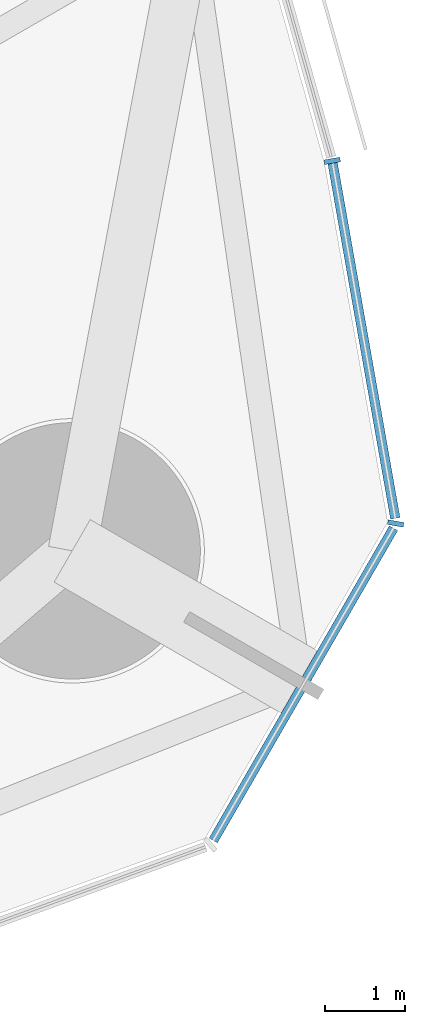
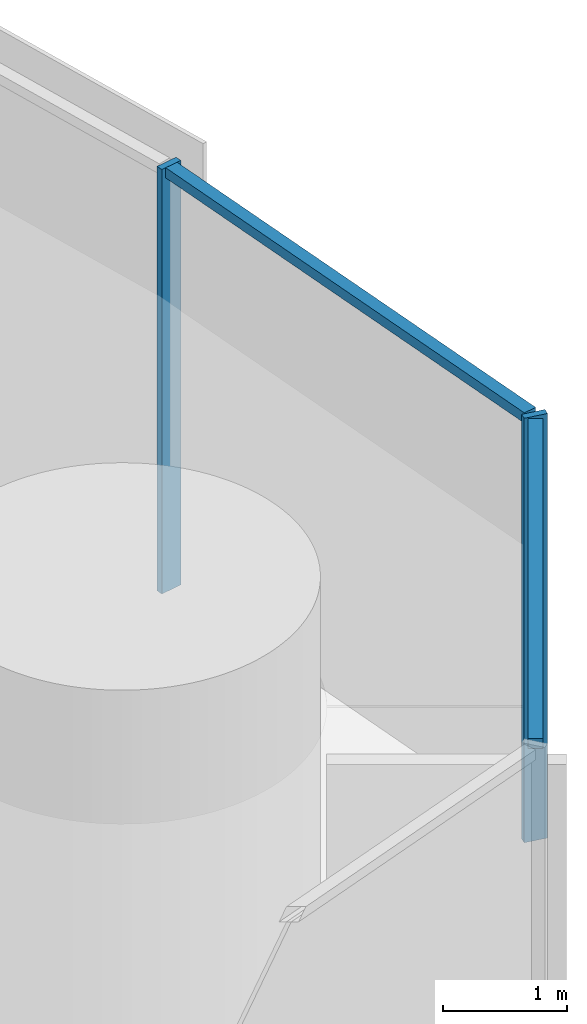
# One storey, part 9 of 19: 4 members, 1 element without a shape of its own.
"""IFC4 building model written with IfcOpenShell, lengths in metres."""

from ifc_helpers import new_model, si_unit, direction, frame, origin, origin_2d, place, context, subcontext, project, spatial, rectangle, extrude, material, material_profile, profile_set, type_object, element, aggregate, save


model = new_model("IFC4")

# Units and contexts
model_context = context("Model", 3, precision=1e-05, world=origin(), true_north=direction((0.0, 1.0)))
body_context = subcontext(model_context, "Body", "Model", "MODEL_VIEW")
ifc_project = project(units=[si_unit("LENGTHUNIT", "METRE"), si_unit("AREAUNIT", "SQUARE_METRE"), si_unit("VOLUMEUNIT", "CUBIC_METRE"), si_unit("PLANEANGLEUNIT", "RADIAN"), si_unit("MASSUNIT", "GRAM", prefix="KILO")], contexts=[model_context])

# Site, building, storey
site_placement = place(None, origin())
site = spatial("IfcSite", under=ifc_project, at=site_placement, CompositionType="ELEMENT")
building_placement = place(site_placement, origin())
building = spatial("IfcBuilding", under=site, at=building_placement, Name="Trefoil Bronze Tower", CompositionType="ELEMENT")
storey_placement = place(building_placement, frame((0.0, 0.0, 240.10009765625)))
storey = spatial("IfcBuildingStorey", under=building, at=storey_placement, Name="L55", CompositionType="ELEMENT", Elevation=240.10009765625)

# Curtain wall, members
ifc_material_1 = material(Name="Tinted solar-control glass", Category="glass")
curtain_wall_type = type_object("IfcCurtainWallType", Name="Bronze rounded corner curtain wall", PredefinedType="USERDEFINED", material=ifc_material_1)
curtain_wall_placement = place(storey_placement, origin())
curtain_wall = element("IfcCurtainWall", 1, at=curtain_wall_placement, inside=storey, type_object=curtain_wall_type, Name="CW-B L55 K1", ObjectType="CURTAIN WALL", PredefinedType="USERDEFINED")
ifc_material_2 = material(Name="Bronze-finish aluminium", Category="aluminium")
ifc_material_profile_1 = material_profile(ifc_material_2, rectangle(XDim=0.199951171875, YDim=0.06005859375, at=origin_2d()), Name="CW-B mullion")
ifc_profile_set_1 = profile_set([ifc_material_profile_1], Name="Bronze-finish aluminium")
member_type_1 = type_object("IfcMemberType", Name="Bronze rounded corner curtain wall mullion", PredefinedType="MULLION", material=ifc_profile_set_1)
member_1_placement = place(storey_placement, frame((32.616943359375, -16.158935546875, 0.0), z_axis=(0.0, 0.0, 1.0), x_axis=(-0.984807753012, 0.173648177667, 0.0)))
member_1 = element("IfcMember", 2, at=member_1_placement, type_object=member_type_1, Name="CW-B L55 K1 mullion 3", PredefinedType="MULLION", context=body_context, shape_type="SweptSolid", body=[
    extrude(rectangle(XDim=0.199951171875, YDim=0.06005859375, at=origin_2d()), origin(), (0.0, 0.0, 1.0), 4.179931640625),
])
member_2_placement = place(storey_placement, frame((31.824951171875, -11.63330078125, 0.0), z_axis=(0.0, 0.0, 1.0), x_axis=(-0.984807753012, -0.173648177667, 0.0)))
member_2 = element("IfcMember", 3, at=member_2_placement, type_object=member_type_1, Name="CW-B L55 K1 mullion 4", PredefinedType="MULLION", context=body_context, shape_type="SweptSolid", body=[
    extrude(rectangle(XDim=0.199951171875, YDim=0.06005859375, at=origin_2d()), origin(), (0.0, 0.0, 1.0), 4.179931640625),
])
ifc_material_3 = material(Name="Bronze-finish aluminium", Category="aluminium")
ifc_material_profile_2 = material_profile(ifc_material_3, rectangle(XDim=0.1201171875, YDim=0.10009765625, at=origin_2d()), Name="CW-B transom")
ifc_profile_set_2 = profile_set([ifc_material_profile_2], Name="Bronze-finish aluminium")
member_type_2 = type_object("IfcMemberType", Name="Bronze rounded corner curtain wall transom", PredefinedType="USERDEFINED", material=ifc_profile_set_2)
member_3_placement = place(storey_placement, frame((30.33984375, -20.114990234375, 4.1298828125), z_axis=(0.500007335828, 0.866021168401, 0.0), x_axis=(-0.866021168401, 0.500007335828, 0.0)))
member_3 = element("IfcMember", 4, at=member_3_placement, type_object=member_type_2, Name="CW-B L55 K1 transom 2", ObjectType="TRANSOM", PredefinedType="USERDEFINED", context=body_context, shape_type="SweptSolid", body=[
    extrude(rectangle(XDim=0.1201171875, YDim=0.10009765625, at=origin_2d()), origin(), (0.0, 0.0, 1.0), 4.50048828125),
])
member_4_placement = place(storey_placement, frame((32.611572265625, -16.0947265625, 4.1298828125), z_axis=(-0.173655350028, 0.984806488304, 0.0), x_axis=(-0.984806488304, -0.173655350028, 0.0)))
member_4 = element("IfcMember", 5, at=member_4_placement, type_object=member_type_2, Name="CW-B L55 K1 transom 3", ObjectType="TRANSOM", PredefinedType="USERDEFINED", context=body_context, shape_type="SweptSolid", body=[
    extrude(rectangle(XDim=0.1201171875, YDim=0.10009765625, at=origin_2d()), origin(), (0.0, 0.0, 1.0), 4.500244140625),
])
aggregate(curtain_wall, [member_1, member_2, member_3, member_4])

save(model, "model.ifc")
